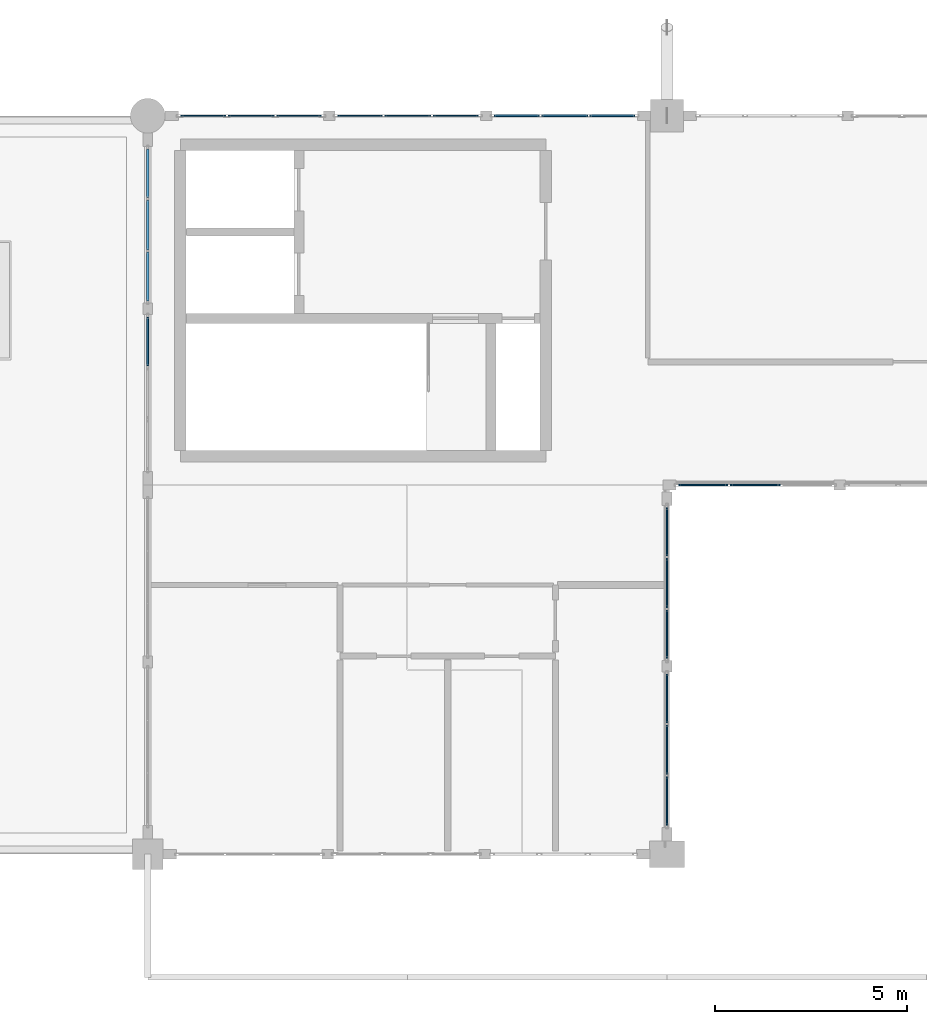
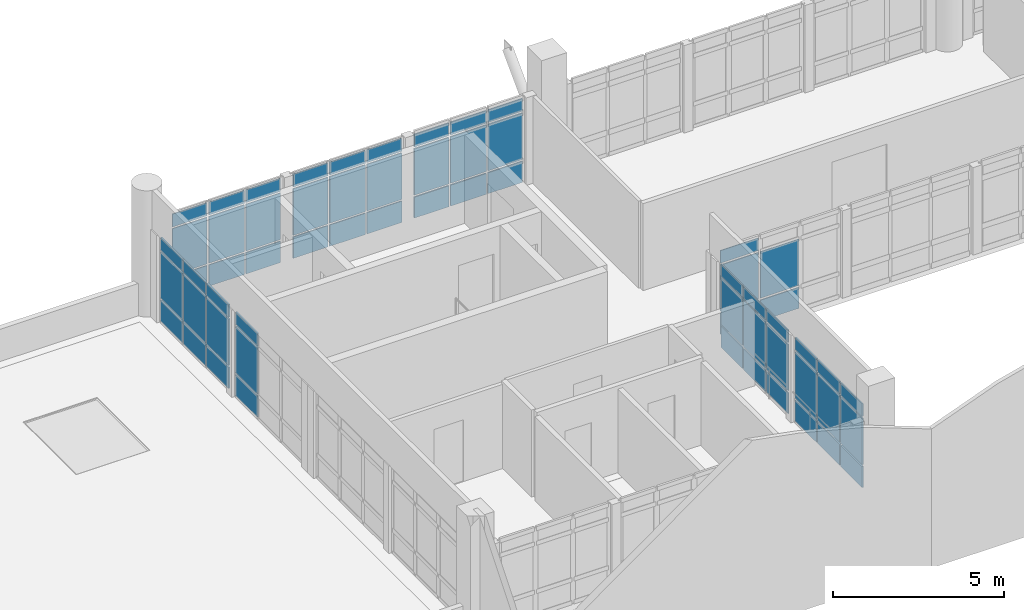
# One storey, part 24 of 37: 62 plates, 8 elements without a shape of their own.
"""IFC4 building model written with IfcOpenShell, lengths in metres."""

from ifc_helpers import new_model, si_unit, direction, frame, origin, origin_2d, place, context, subcontext, project, spatial, rectangle, extrude, material, layer, layer_set, type_object, element, aggregate, save


model = new_model("IFC4")

# Units and contexts
model_context = context("Model", 3, precision=1e-05, world=origin(), true_north=direction((0.0, 1.0)))
body_context = subcontext(model_context, "Body", "Model", "MODEL_VIEW")
ifc_project = project(units=[si_unit("LENGTHUNIT", "METRE"), si_unit("AREAUNIT", "SQUARE_METRE"), si_unit("VOLUMEUNIT", "CUBIC_METRE"), si_unit("PLANEANGLEUNIT", "RADIAN"), si_unit("MASSUNIT", "GRAM", prefix="KILO")], contexts=[model_context])

# Site, building, storey
site_placement = place(None, origin())
site = spatial("IfcSite", under=ifc_project, at=site_placement, CompositionType="ELEMENT")
building_placement = place(site_placement, origin())
building = spatial("IfcBuilding", under=site, at=building_placement, Name="Fikremerkos Civic Library", CompositionType="ELEMENT")
storey_placement = place(building_placement, frame((0.0, 0.0, 23.39990234375)))
storey = spatial("IfcBuildingStorey", under=building, at=storey_placement, Name="L05", CompositionType="ELEMENT", Elevation=23.39990234375)

# Curtain wall, plates
ifc_material_1 = material(Name="Anodized aluminium Frame", Category="aluminium")
ifc_layer_1 = layer(ifc_material_1, 0.159912109375, Name="Anodized aluminium Frame")
ifc_layer_set_1 = layer_set([ifc_layer_1], Name="Anodized aluminium Frame")
curtain_wall_type_1 = type_object("IfcCurtainWallType", Name="Unitised curtain wall CW-05 3800x4100", PredefinedType="USERDEFINED", material=ifc_layer_set_1)
curtain_wall_1_placement = place(storey_placement, origin())
curtain_wall_1 = element("IfcCurtainWall", 1, at=curtain_wall_1_placement, inside=storey, type_object=curtain_wall_type_1, Name="Unitised curtain wall CW-05 L05 #257", ObjectType="UNITISED CURTAIN WALL", PredefinedType="USERDEFINED")
ifc_material_2 = material(Name="Solar control double glazing", Category="glass")
ifc_layer_2 = layer(ifc_material_2, 0.028076171875, Name="Solar control double glazing")
ifc_layer_set_2 = layer_set([ifc_layer_2], Name="Solar control double glazing")
plate_type_1 = type_object("IfcPlateType", Name="Curtain glazing panel CWP-01 28", PredefinedType="CURTAIN_PANEL", material=ifc_layer_set_2)
plate_1_placement = place(storey_placement, frame((20.6435546875, 31.199951171875, 0.06005859375), z_axis=(0.0, 0.0, 1.0), x_axis=(1.0, 0.0, 0.0)))
plate_1 = element("IfcPlate", 2, at=plate_1_placement, type_object=plate_type_1, Name="CW-05 panel 1.1", PredefinedType="CURTAIN_PANEL", context=body_context, shape_type="SweptSolid", body=[
    extrude(rectangle(XDim=1.161376953125, YDim=0.028076171875, at=origin_2d()), origin(), (0.0, 0.0, 1.0), 0.760009765625),
])
plate_2_placement = place(storey_placement, frame((20.6435546875, 31.199951171875, 0.88037109375), z_axis=(0.0, 0.0, 1.0), x_axis=(1.0, 0.0, 0.0)))
plate_2 = element("IfcPlate", 3, at=plate_2_placement, type_object=plate_type_1, Name="CW-05 panel 1.2", PredefinedType="CURTAIN_PANEL", context=body_context, shape_type="SweptSolid", body=[
    extrude(rectangle(XDim=1.161376953125, YDim=0.028076171875, at=origin_2d()), origin(), (0.0, 0.0, 1.0), 1.659912109375),
])
plate_3_placement = place(storey_placement, frame((20.6435546875, 31.199951171875, 2.60009765625), z_axis=(0.0, 0.0, 1.0), x_axis=(1.0, 0.0, 0.0)))
plate_3 = element("IfcPlate", 4, at=plate_3_placement, type_object=plate_type_1, Name="CW-05 panel 1.3", PredefinedType="CURTAIN_PANEL", context=body_context, shape_type="SweptSolid", body=[
    extrude(rectangle(XDim=1.161376953125, YDim=0.028076171875, at=origin_2d()), origin(), (0.0, 0.0, 1.0), 0.4599609375),
])
plate_4_placement = place(storey_placement, frame((21.88623046875, 31.199951171875, 0.06005859375), z_axis=(0.0, 0.0, 1.0), x_axis=(1.0, 0.0, 0.0)))
plate_4 = element("IfcPlate", 5, at=plate_4_placement, type_object=plate_type_1, Name="CW-05 panel 2.1", PredefinedType="CURTAIN_PANEL", context=body_context, shape_type="SweptSolid", body=[
    extrude(rectangle(XDim=1.19384765625, YDim=0.028076171875, at=origin_2d()), origin(), (0.0, 0.0, 1.0), 0.760009765625),
])
plate_5_placement = place(storey_placement, frame((21.88623046875, 31.199951171875, 0.88037109375), z_axis=(0.0, 0.0, 1.0), x_axis=(1.0, 0.0, 0.0)))
plate_5 = element("IfcPlate", 6, at=plate_5_placement, type_object=plate_type_1, Name="CW-05 panel 2.2", PredefinedType="CURTAIN_PANEL", context=body_context, shape_type="SweptSolid", body=[
    extrude(rectangle(XDim=1.19384765625, YDim=0.028076171875, at=origin_2d()), origin(), (0.0, 0.0, 1.0), 1.659912109375),
])
plate_6_placement = place(storey_placement, frame((21.88623046875, 31.199951171875, 2.60009765625), z_axis=(0.0, 0.0, 1.0), x_axis=(1.0, 0.0, 0.0)))
plate_6 = element("IfcPlate", 7, at=plate_6_placement, type_object=plate_type_1, Name="CW-05 panel 2.3", PredefinedType="CURTAIN_PANEL", context=body_context, shape_type="SweptSolid", body=[
    extrude(rectangle(XDim=1.19384765625, YDim=0.028076171875, at=origin_2d()), origin(), (0.0, 0.0, 1.0), 0.4599609375),
])
plate_7_placement = place(storey_placement, frame((23.128662109375, 31.199951171875, 0.06005859375), z_axis=(0.0, 0.0, 1.0), x_axis=(1.0, 0.0, 0.0)))
plate_7 = element("IfcPlate", 8, at=plate_7_placement, type_object=plate_type_1, Name="CW-05 panel 3.1", PredefinedType="CURTAIN_PANEL", context=body_context, shape_type="SweptSolid", body=[
    extrude(rectangle(XDim=1.161376953125, YDim=0.028076171875, at=origin_2d()), origin(), (0.0, 0.0, 1.0), 0.760009765625),
])
plate_8_placement = place(storey_placement, frame((23.128662109375, 31.199951171875, 0.88037109375), z_axis=(0.0, 0.0, 1.0), x_axis=(1.0, 0.0, 0.0)))
plate_8 = element("IfcPlate", 9, at=plate_8_placement, type_object=plate_type_1, Name="CW-05 panel 3.2", PredefinedType="CURTAIN_PANEL", context=body_context, shape_type="SweptSolid", body=[
    extrude(rectangle(XDim=1.161376953125, YDim=0.028076171875, at=origin_2d()), origin(), (0.0, 0.0, 1.0), 1.659912109375),
])
plate_9_placement = place(storey_placement, frame((23.128662109375, 31.199951171875, 2.60009765625), z_axis=(0.0, 0.0, 1.0), x_axis=(1.0, 0.0, 0.0)))
plate_9 = element("IfcPlate", 10, at=plate_9_placement, type_object=plate_type_1, Name="CW-05 panel 3.3", PredefinedType="CURTAIN_PANEL", context=body_context, shape_type="SweptSolid", body=[
    extrude(rectangle(XDim=1.161376953125, YDim=0.028076171875, at=origin_2d()), origin(), (0.0, 0.0, 1.0), 0.4599609375),
])
aggregate(curtain_wall_1, [plate_1, plate_2, plate_3, plate_4, plate_5, plate_6, plate_7, plate_8, plate_9])

ifc_layer_3 = layer(ifc_material_1, 0.159912109375, Name="Anodized aluminium Frame")
ifc_layer_set_3 = layer_set([ifc_layer_3], Name="Anodized aluminium Frame")
curtain_wall_type_2 = type_object("IfcCurtainWallType", Name="Unitised curtain wall CW-09 3600x3400", PredefinedType="USERDEFINED", material=ifc_layer_set_3)
curtain_wall_2_placement = place(storey_placement, origin())
curtain_wall_2 = element("IfcCurtainWall", 11, at=curtain_wall_2_placement, inside=storey, type_object=curtain_wall_type_2, Name="Unitised curtain wall CW-09 L05 #297", ObjectType="UNITISED CURTAIN WALL", PredefinedType="USERDEFINED")
plate_10_placement = place(storey_placement, frame((34.991455078125, 21.60009765625, 0.070068359375), z_axis=(0.0, 0.0, 1.0), x_axis=(-1.0, 0.0, 0.0)))
plate_10 = element("IfcPlate", 12, at=plate_10_placement, type_object=plate_type_1, Name="CW-09 panel 2.1", PredefinedType="CURTAIN_PANEL", context=body_context, shape_type="SweptSolid", body=[
    extrude(rectangle(XDim=1.302490234375, YDim=0.028076171875, at=origin_2d()), origin(), (0.0, 0.0, 1.0), 0.7451171875),
])
plate_11_placement = place(storey_placement, frame((34.991455078125, 21.60009765625, 0.88525390625), z_axis=(0.0, 0.0, 1.0), x_axis=(-1.0, 0.0, 0.0)))
plate_11 = element("IfcPlate", 13, at=plate_11_placement, type_object=plate_type_1, Name="CW-09 panel 2.2", PredefinedType="CURTAIN_PANEL", context=body_context, shape_type="SweptSolid", body=[
    extrude(rectangle(XDim=1.302490234375, YDim=0.028076171875, at=origin_2d()), origin(), (0.0, 0.0, 1.0), 1.64990234375),
])
plate_12_placement = place(storey_placement, frame((33.64013671875, 21.60009765625, 0.070068359375), z_axis=(0.0, 0.0, 1.0), x_axis=(-1.0, 0.0, 0.0)))
plate_12 = element("IfcPlate", 14, at=plate_12_placement, type_object=plate_type_1, Name="CW-09 panel 3.1", PredefinedType="CURTAIN_PANEL", context=body_context, shape_type="SweptSolid", body=[
    extrude(rectangle(XDim=1.27001953125, YDim=0.028076171875, at=origin_2d()), origin(), (0.0, 0.0, 1.0), 0.7451171875),
])
plate_13_placement = place(storey_placement, frame((33.64013671875, 21.60009765625, 0.88525390625), z_axis=(0.0, 0.0, 1.0), x_axis=(-1.0, 0.0, 0.0)))
plate_13 = element("IfcPlate", 15, at=plate_13_placement, type_object=plate_type_1, Name="CW-09 panel 3.2", PredefinedType="CURTAIN_PANEL", context=body_context, shape_type="SweptSolid", body=[
    extrude(rectangle(XDim=1.27001953125, YDim=0.028076171875, at=origin_2d()), origin(), (0.0, 0.0, 1.0), 1.64990234375),
])
plate_14_placement = place(storey_placement, frame((33.64013671875, 21.60009765625, 2.60498046875), z_axis=(0.0, 0.0, 1.0), x_axis=(-1.0, 0.0, 0.0)))
plate_14 = element("IfcPlate", 16, at=plate_14_placement, type_object=plate_type_1, Name="CW-09 panel 3.3", PredefinedType="CURTAIN_PANEL", context=body_context, shape_type="SweptSolid", body=[
    extrude(rectangle(XDim=1.27001953125, YDim=0.028076171875, at=origin_2d()), origin(), (0.0, 0.0, 1.0), 0.445068359375),
])
aggregate(curtain_wall_2, [plate_10, plate_11, plate_12, plate_13, plate_14])

ifc_layer_4 = layer(ifc_material_1, 0.159912109375, Name="Anodized aluminium Frame")
ifc_layer_set_4 = layer_set([ifc_layer_4], Name="Anodized aluminium Frame")
curtain_wall_type_3 = type_object("IfcCurtainWallType", Name="Unitised curtain wall CW-06 4200x4100", PredefinedType="USERDEFINED", material=ifc_layer_set_4)
curtain_wall_3_placement = place(storey_placement, origin())
curtain_wall_3 = element("IfcCurtainWall", 17, at=curtain_wall_3_placement, inside=storey, type_object=curtain_wall_type_3, Name="Unitised curtain wall CW-06 L05 #258", ObjectType="UNITISED CURTAIN WALL", PredefinedType="USERDEFINED")
ifc_layer_5 = layer(ifc_material_2, 0.035888671875, Name="Solar control double glazing")
ifc_layer_set_5 = layer_set([ifc_layer_5], Name="Solar control double glazing")
plate_type_2 = type_object("IfcPlateType", Name="Curtain glazing panel CWP-02 36", PredefinedType="CURTAIN_PANEL", material=ifc_layer_set_5)
plate_15_placement = place(storey_placement, frame((24.71875, 31.199951171875, 0.06005859375), z_axis=(0.0, 0.0, 1.0), x_axis=(1.0, 0.0, 0.0)))
plate_15 = element("IfcPlate", 18, at=plate_15_placement, type_object=plate_type_2, Name="CW-06 panel 1.1", PredefinedType="CURTAIN_PANEL", context=body_context, shape_type="SweptSolid", body=[
    extrude(rectangle(XDim=1.168701171875, YDim=0.035888671875, at=origin_2d()), origin(), (0.0, 0.0, 1.0), 0.760009765625),
])
plate_16_placement = place(storey_placement, frame((24.71875, 31.199951171875, 0.88037109375), z_axis=(0.0, 0.0, 1.0), x_axis=(1.0, 0.0, 0.0)))
plate_16 = element("IfcPlate", 19, at=plate_16_placement, type_object=plate_type_2, Name="CW-06 panel 1.2", PredefinedType="CURTAIN_PANEL", context=body_context, shape_type="SweptSolid", body=[
    extrude(rectangle(XDim=1.168701171875, YDim=0.035888671875, at=origin_2d()), origin(), (0.0, 0.0, 1.0), 1.659912109375),
])
plate_17_placement = place(storey_placement, frame((24.71875, 31.199951171875, 2.60009765625), z_axis=(0.0, 0.0, 1.0), x_axis=(1.0, 0.0, 0.0)))
plate_17 = element("IfcPlate", 20, at=plate_17_placement, type_object=plate_type_2, Name="CW-06 panel 1.3", PredefinedType="CURTAIN_PANEL", context=body_context, shape_type="SweptSolid", body=[
    extrude(rectangle(XDim=1.168701171875, YDim=0.035888671875, at=origin_2d()), origin(), (0.0, 0.0, 1.0), 0.4599609375),
])
plate_18_placement = place(storey_placement, frame((25.96240234375, 31.199951171875, 0.06005859375), z_axis=(0.0, 0.0, 1.0), x_axis=(1.0, 0.0, 0.0)))
plate_18 = element("IfcPlate", 21, at=plate_18_placement, type_object=plate_type_2, Name="CW-06 panel 2.1", PredefinedType="CURTAIN_PANEL", context=body_context, shape_type="SweptSolid", body=[
    extrude(rectangle(XDim=1.19873046875, YDim=0.035888671875, at=origin_2d()), origin(), (0.0, 0.0, 1.0), 0.760009765625),
])
plate_19_placement = place(storey_placement, frame((25.96240234375, 31.199951171875, 0.88037109375), z_axis=(0.0, 0.0, 1.0), x_axis=(1.0, 0.0, 0.0)))
plate_19 = element("IfcPlate", 22, at=plate_19_placement, type_object=plate_type_2, Name="CW-06 panel 2.2", PredefinedType="CURTAIN_PANEL", context=body_context, shape_type="SweptSolid", body=[
    extrude(rectangle(XDim=1.19873046875, YDim=0.035888671875, at=origin_2d()), origin(), (0.0, 0.0, 1.0), 1.659912109375),
])
plate_20_placement = place(storey_placement, frame((25.96240234375, 31.199951171875, 2.60009765625), z_axis=(0.0, 0.0, 1.0), x_axis=(1.0, 0.0, 0.0)))
plate_20 = element("IfcPlate", 23, at=plate_20_placement, type_object=plate_type_2, Name="CW-06 panel 2.3", PredefinedType="CURTAIN_PANEL", context=body_context, shape_type="SweptSolid", body=[
    extrude(rectangle(XDim=1.19873046875, YDim=0.035888671875, at=origin_2d()), origin(), (0.0, 0.0, 1.0), 0.4599609375),
])
plate_21_placement = place(storey_placement, frame((27.206298828125, 31.199951171875, 0.06005859375), z_axis=(0.0, 0.0, 1.0), x_axis=(1.0, 0.0, 0.0)))
plate_21 = element("IfcPlate", 24, at=plate_21_placement, type_object=plate_type_2, Name="CW-06 panel 3.1", PredefinedType="CURTAIN_PANEL", context=body_context, shape_type="SweptSolid", body=[
    extrude(rectangle(XDim=1.168701171875, YDim=0.035888671875, at=origin_2d()), origin(), (0.0, 0.0, 1.0), 0.760009765625),
])
plate_22_placement = place(storey_placement, frame((27.206298828125, 31.199951171875, 0.88037109375), z_axis=(0.0, 0.0, 1.0), x_axis=(1.0, 0.0, 0.0)))
plate_22 = element("IfcPlate", 25, at=plate_22_placement, type_object=plate_type_2, Name="CW-06 panel 3.2", PredefinedType="CURTAIN_PANEL", context=body_context, shape_type="SweptSolid", body=[
    extrude(rectangle(XDim=1.168701171875, YDim=0.035888671875, at=origin_2d()), origin(), (0.0, 0.0, 1.0), 1.659912109375),
])
plate_23_placement = place(storey_placement, frame((27.206298828125, 31.199951171875, 2.60009765625), z_axis=(0.0, 0.0, 1.0), x_axis=(1.0, 0.0, 0.0)))
plate_23 = element("IfcPlate", 26, at=plate_23_placement, type_object=plate_type_2, Name="CW-06 panel 3.3", PredefinedType="CURTAIN_PANEL", context=body_context, shape_type="SweptSolid", body=[
    extrude(rectangle(XDim=1.168701171875, YDim=0.035888671875, at=origin_2d()), origin(), (0.0, 0.0, 1.0), 0.4599609375),
])
aggregate(curtain_wall_3, [plate_15, plate_16, plate_17, plate_18, plate_19, plate_20, plate_21, plate_22, plate_23])

ifc_layer_6 = layer(ifc_material_1, 0.159912109375, Name="Anodized aluminium Frame")
ifc_layer_set_6 = layer_set([ifc_layer_6], Name="Anodized aluminium Frame")
curtain_wall_type_4 = type_object("IfcCurtainWallType", Name="Unitised curtain wall CW-10 4000x3400", PredefinedType="USERDEFINED", material=ifc_layer_set_6)
curtain_wall_4_placement = place(storey_placement, origin())
curtain_wall_4 = element("IfcCurtainWall", 27, at=curtain_wall_4_placement, inside=storey, type_object=curtain_wall_type_4, Name="Unitised curtain wall CW-10 L05 #298", ObjectType="UNITISED CURTAIN WALL", PredefinedType="USERDEFINED")
plate_24_placement = place(storey_placement, frame((32.699951171875, 20.38232421875, 0.070068359375), z_axis=(0.0, 0.0, 1.0), x_axis=(0.0, -1.0, 0.0)))
plate_24 = element("IfcPlate", 28, at=plate_24_placement, type_object=plate_type_2, Name="CW-10 panel 1.1", PredefinedType="CURTAIN_PANEL", context=body_context, shape_type="SweptSolid", body=[
    extrude(rectangle(XDim=1.25537109375, YDim=0.035888671875, at=origin_2d()), origin(), (0.0, 0.0, 1.0), 0.7451171875),
])
plate_25_placement = place(storey_placement, frame((32.699951171875, 20.38232421875, 0.88525390625), z_axis=(0.0, 0.0, 1.0), x_axis=(0.0, -1.0, 0.0)))
plate_25 = element("IfcPlate", 29, at=plate_25_placement, type_object=plate_type_2, Name="CW-10 panel 1.2", PredefinedType="CURTAIN_PANEL", context=body_context, shape_type="SweptSolid", body=[
    extrude(rectangle(XDim=1.25537109375, YDim=0.035888671875, at=origin_2d()), origin(), (0.0, 0.0, 1.0), 1.64990234375),
])
plate_26_placement = place(storey_placement, frame((32.699951171875, 20.38232421875, 2.60498046875), z_axis=(0.0, 0.0, 1.0), x_axis=(0.0, -1.0, 0.0)))
plate_26 = element("IfcPlate", 30, at=plate_26_placement, type_object=plate_type_2, Name="CW-10 panel 1.3", PredefinedType="CURTAIN_PANEL", context=body_context, shape_type="SweptSolid", body=[
    extrude(rectangle(XDim=1.25537109375, YDim=0.035888671875, at=origin_2d()), origin(), (0.0, 0.0, 1.0), 0.445068359375),
])
plate_27_placement = place(storey_placement, frame((32.699951171875, 19.052001953125, 0.070068359375), z_axis=(0.0, 0.0, 1.0), x_axis=(0.0, -1.0, 0.0)))
plate_27 = element("IfcPlate", 31, at=plate_27_placement, type_object=plate_type_2, Name="CW-10 panel 2.1", PredefinedType="CURTAIN_PANEL", context=body_context, shape_type="SweptSolid", body=[
    extrude(rectangle(XDim=1.285400390625, YDim=0.035888671875, at=origin_2d()), origin(), (0.0, 0.0, 1.0), 0.7451171875),
])
plate_28_placement = place(storey_placement, frame((32.699951171875, 19.052001953125, 0.88525390625), z_axis=(0.0, 0.0, 1.0), x_axis=(0.0, -1.0, 0.0)))
plate_28 = element("IfcPlate", 32, at=plate_28_placement, type_object=plate_type_2, Name="CW-10 panel 2.2", PredefinedType="CURTAIN_PANEL", context=body_context, shape_type="SweptSolid", body=[
    extrude(rectangle(XDim=1.285400390625, YDim=0.035888671875, at=origin_2d()), origin(), (0.0, 0.0, 1.0), 1.64990234375),
])
plate_29_placement = place(storey_placement, frame((32.699951171875, 19.052001953125, 2.60498046875), z_axis=(0.0, 0.0, 1.0), x_axis=(0.0, -1.0, 0.0)))
plate_29 = element("IfcPlate", 33, at=plate_29_placement, type_object=plate_type_2, Name="CW-10 panel 2.3", PredefinedType="CURTAIN_PANEL", context=body_context, shape_type="SweptSolid", body=[
    extrude(rectangle(XDim=1.285400390625, YDim=0.035888671875, at=origin_2d()), origin(), (0.0, 0.0, 1.0), 0.445068359375),
])
plate_30_placement = place(storey_placement, frame((32.699951171875, 17.7216796875, 0.070068359375), z_axis=(0.0, 0.0, 1.0), x_axis=(0.0, -1.0, 0.0)))
plate_30 = element("IfcPlate", 34, at=plate_30_placement, type_object=plate_type_2, Name="CW-10 panel 3.1", PredefinedType="CURTAIN_PANEL", context=body_context, shape_type="SweptSolid", body=[
    extrude(rectangle(XDim=1.25537109375, YDim=0.035888671875, at=origin_2d()), origin(), (0.0, 0.0, 1.0), 0.7451171875),
])
plate_31_placement = place(storey_placement, frame((32.699951171875, 17.7216796875, 0.88525390625), z_axis=(0.0, 0.0, 1.0), x_axis=(0.0, -1.0, 0.0)))
plate_31 = element("IfcPlate", 35, at=plate_31_placement, type_object=plate_type_2, Name="CW-10 panel 3.2", PredefinedType="CURTAIN_PANEL", context=body_context, shape_type="SweptSolid", body=[
    extrude(rectangle(XDim=1.25537109375, YDim=0.035888671875, at=origin_2d()), origin(), (0.0, 0.0, 1.0), 1.64990234375),
])
plate_32_placement = place(storey_placement, frame((32.699951171875, 17.7216796875, 2.60498046875), z_axis=(0.0, 0.0, 1.0), x_axis=(0.0, -1.0, 0.0)))
plate_32 = element("IfcPlate", 36, at=plate_32_placement, type_object=plate_type_2, Name="CW-10 panel 3.3", PredefinedType="CURTAIN_PANEL", context=body_context, shape_type="SweptSolid", body=[
    extrude(rectangle(XDim=1.25537109375, YDim=0.035888671875, at=origin_2d()), origin(), (0.0, 0.0, 1.0), 0.445068359375),
])
aggregate(curtain_wall_4, [plate_24, plate_25, plate_26, plate_27, plate_28, plate_29, plate_30, plate_31, plate_32])

ifc_layer_7 = layer(ifc_material_1, 0.159912109375, Name="Anodized aluminium Frame")
ifc_layer_set_7 = layer_set([ifc_layer_7], Name="Anodized aluminium Frame")
curtain_wall_type_5 = type_object("IfcCurtainWallType", Name="Unitised curtain wall CW-03 4100x3600", PredefinedType="USERDEFINED", material=ifc_layer_set_7)
curtain_wall_5_placement = place(storey_placement, origin())
curtain_wall_5 = element("IfcCurtainWall", 37, at=curtain_wall_5_placement, inside=storey, type_object=curtain_wall_type_5, Name="Unitised curtain wall CW-03 L05 #255", ObjectType="UNITISED CURTAIN WALL", PredefinedType="USERDEFINED")
ifc_material_3 = material(Name="Insulated aluminium spandrel", Category="aluminium")
ifc_layer_8 = layer(ifc_material_3, 0.044921875, Name="Insulated aluminium spandrel")
ifc_layer_set_8 = layer_set([ifc_layer_8], Name="Insulated aluminium spandrel")
plate_type_3 = type_object("IfcPlateType", Name="Curtain spandrel panel CSP-01 45", PredefinedType="CURTAIN_PANEL", material=ifc_layer_set_8)
plate_33_placement = place(storey_placement, frame((19.199951171875, 25.332763671875, 0.065185546875), z_axis=(0.0, 0.0, 1.0), x_axis=(0.0, 1.0, 0.0)))
plate_33 = element("IfcPlate", 38, at=plate_33_placement, type_object=plate_type_3, Name="CW-03 panel 3.1", PredefinedType="CURTAIN_PANEL", context=body_context, shape_type="SweptSolid", body=[
    extrude(rectangle(XDim=1.268310546875, YDim=0.044921875, at=origin_2d()), origin(), (0.0, 0.0, 1.0), 0.75244140625),
])
plate_34_placement = place(storey_placement, frame((19.199951171875, 25.332763671875, 0.8828125), z_axis=(0.0, 0.0, 1.0), x_axis=(0.0, 1.0, 0.0)))
plate_34 = element("IfcPlate", 39, at=plate_34_placement, type_object=plate_type_3, Name="CW-03 panel 3.2", PredefinedType="CURTAIN_PANEL", context=body_context, shape_type="SweptSolid", body=[
    extrude(rectangle(XDim=1.268310546875, YDim=0.044921875, at=origin_2d()), origin(), (0.0, 0.0, 1.0), 1.655029296875),
])
plate_35_placement = place(storey_placement, frame((19.199951171875, 25.332763671875, 2.6025390625), z_axis=(0.0, 0.0, 1.0), x_axis=(0.0, 1.0, 0.0)))
plate_35 = element("IfcPlate", 40, at=plate_35_placement, type_object=plate_type_3, Name="CW-03 panel 3.3", PredefinedType="CURTAIN_PANEL", context=body_context, shape_type="SweptSolid", body=[
    extrude(rectangle(XDim=1.268310546875, YDim=0.044921875, at=origin_2d()), origin(), (0.0, 0.0, 1.0), 0.452392578125),
])
aggregate(curtain_wall_5, [plate_33, plate_34, plate_35])

ifc_layer_9 = layer(ifc_material_1, 0.159912109375, Name="Anodized aluminium Frame")
ifc_layer_set_9 = layer_set([ifc_layer_9], Name="Anodized aluminium Frame")
curtain_wall_type_6 = type_object("IfcCurtainWallType", Name="Unitised curtain wall CW-07 3500x4100", PredefinedType="USERDEFINED", material=ifc_layer_set_9)
curtain_wall_6_placement = place(storey_placement, origin())
curtain_wall_6 = element("IfcCurtainWall", 41, at=curtain_wall_6_placement, inside=storey, type_object=curtain_wall_type_6, Name="Unitised curtain wall CW-07 L05 #259", ObjectType="UNITISED CURTAIN WALL", PredefinedType="USERDEFINED")
plate_36_placement = place(storey_placement, frame((28.795166015625, 31.199951171875, 0.070068359375), z_axis=(0.0, 0.0, 1.0), x_axis=(1.0, 0.0, 0.0)))
plate_36 = element("IfcPlate", 42, at=plate_36_placement, type_object=plate_type_3, Name="CW-07 panel 1.1", PredefinedType="CURTAIN_PANEL", context=body_context, shape_type="SweptSolid", body=[
    extrude(rectangle(XDim=1.168701171875, YDim=0.044921875, at=origin_2d()), origin(), (0.0, 0.0, 1.0), 0.7451171875),
])
plate_37_placement = place(storey_placement, frame((28.795166015625, 31.199951171875, 0.88525390625), z_axis=(0.0, 0.0, 1.0), x_axis=(1.0, 0.0, 0.0)))
plate_37 = element("IfcPlate", 43, at=plate_37_placement, type_object=plate_type_3, Name="CW-07 panel 1.2", PredefinedType="CURTAIN_PANEL", context=body_context, shape_type="SweptSolid", body=[
    extrude(rectangle(XDim=1.168701171875, YDim=0.044921875, at=origin_2d()), origin(), (0.0, 0.0, 1.0), 1.64990234375),
])
plate_38_placement = place(storey_placement, frame((28.795166015625, 31.199951171875, 2.60498046875), z_axis=(0.0, 0.0, 1.0), x_axis=(1.0, 0.0, 0.0)))
plate_38 = element("IfcPlate", 44, at=plate_38_placement, type_object=plate_type_3, Name="CW-07 panel 1.3", PredefinedType="CURTAIN_PANEL", context=body_context, shape_type="SweptSolid", body=[
    extrude(rectangle(XDim=1.168701171875, YDim=0.044921875, at=origin_2d()), origin(), (0.0, 0.0, 1.0), 0.445068359375),
])
plate_39_placement = place(storey_placement, frame((30.038818359375, 31.199951171875, 0.070068359375), z_axis=(0.0, 0.0, 1.0), x_axis=(1.0, 0.0, 0.0)))
plate_39 = element("IfcPlate", 45, at=plate_39_placement, type_object=plate_type_3, Name="CW-07 panel 2.1", PredefinedType="CURTAIN_PANEL", context=body_context, shape_type="SweptSolid", body=[
    extrude(rectangle(XDim=1.19873046875, YDim=0.044921875, at=origin_2d()), origin(), (0.0, 0.0, 1.0), 0.7451171875),
])
plate_40_placement = place(storey_placement, frame((30.038818359375, 31.199951171875, 0.88525390625), z_axis=(0.0, 0.0, 1.0), x_axis=(1.0, 0.0, 0.0)))
plate_40 = element("IfcPlate", 46, at=plate_40_placement, type_object=plate_type_3, Name="CW-07 panel 2.2", PredefinedType="CURTAIN_PANEL", context=body_context, shape_type="SweptSolid", body=[
    extrude(rectangle(XDim=1.19873046875, YDim=0.044921875, at=origin_2d()), origin(), (0.0, 0.0, 1.0), 1.64990234375),
])
plate_41_placement = place(storey_placement, frame((30.038818359375, 31.199951171875, 2.60498046875), z_axis=(0.0, 0.0, 1.0), x_axis=(1.0, 0.0, 0.0)))
plate_41 = element("IfcPlate", 47, at=plate_41_placement, type_object=plate_type_3, Name="CW-07 panel 2.3", PredefinedType="CURTAIN_PANEL", context=body_context, shape_type="SweptSolid", body=[
    extrude(rectangle(XDim=1.19873046875, YDim=0.044921875, at=origin_2d()), origin(), (0.0, 0.0, 1.0), 0.445068359375),
])
plate_42_placement = place(storey_placement, frame((31.28271484375, 31.199951171875, 0.070068359375), z_axis=(0.0, 0.0, 1.0), x_axis=(1.0, 0.0, 0.0)))
plate_42 = element("IfcPlate", 48, at=plate_42_placement, type_object=plate_type_3, Name="CW-07 panel 3.1", PredefinedType="CURTAIN_PANEL", context=body_context, shape_type="SweptSolid", body=[
    extrude(rectangle(XDim=1.168701171875, YDim=0.044921875, at=origin_2d()), origin(), (0.0, 0.0, 1.0), 0.7451171875),
])
plate_43_placement = place(storey_placement, frame((31.28271484375, 31.199951171875, 0.88525390625), z_axis=(0.0, 0.0, 1.0), x_axis=(1.0, 0.0, 0.0)))
plate_43 = element("IfcPlate", 49, at=plate_43_placement, type_object=plate_type_3, Name="CW-07 panel 3.2", PredefinedType="CURTAIN_PANEL", context=body_context, shape_type="SweptSolid", body=[
    extrude(rectangle(XDim=1.168701171875, YDim=0.044921875, at=origin_2d()), origin(), (0.0, 0.0, 1.0), 1.64990234375),
])
plate_44_placement = place(storey_placement, frame((31.28271484375, 31.199951171875, 2.60498046875), z_axis=(0.0, 0.0, 1.0), x_axis=(1.0, 0.0, 0.0)))
plate_44 = element("IfcPlate", 50, at=plate_44_placement, type_object=plate_type_3, Name="CW-07 panel 3.3", PredefinedType="CURTAIN_PANEL", context=body_context, shape_type="SweptSolid", body=[
    extrude(rectangle(XDim=1.168701171875, YDim=0.044921875, at=origin_2d()), origin(), (0.0, 0.0, 1.0), 0.445068359375),
])
aggregate(curtain_wall_6, [plate_36, plate_37, plate_38, plate_39, plate_40, plate_41, plate_42, plate_43, plate_44])

ifc_layer_10 = layer(ifc_material_1, 0.159912109375, Name="Anodized aluminium Frame")
ifc_layer_set_10 = layer_set([ifc_layer_10], Name="Anodized aluminium Frame")
curtain_wall_type_7 = type_object("IfcCurtainWallType", Name="Unitised curtain wall CW-11 3200x3400", PredefinedType="USERDEFINED", material=ifc_layer_set_10)
curtain_wall_7_placement = place(storey_placement, origin())
curtain_wall_7 = element("IfcCurtainWall", 51, at=curtain_wall_7_placement, inside=storey, type_object=curtain_wall_type_7, Name="Unitised curtain wall CW-11 L05 #299", ObjectType="UNITISED CURTAIN WALL", PredefinedType="USERDEFINED")
plate_45_placement = place(storey_placement, frame((32.699951171875, 16.04638671875, 0.065185546875), z_axis=(0.0, 0.0, 1.0), x_axis=(0.0, -1.0, 0.0)))
plate_45 = element("IfcPlate", 52, at=plate_45_placement, type_object=plate_type_3, Name="CW-11 panel 1.1", PredefinedType="CURTAIN_PANEL", context=body_context, shape_type="SweptSolid", body=[
    extrude(rectangle(XDim=1.25537109375, YDim=0.044921875, at=origin_2d()), origin(), (0.0, 0.0, 1.0), 0.75244140625),
])
plate_46_placement = place(storey_placement, frame((32.699951171875, 16.04638671875, 0.8828125), z_axis=(0.0, 0.0, 1.0), x_axis=(0.0, -1.0, 0.0)))
plate_46 = element("IfcPlate", 53, at=plate_46_placement, type_object=plate_type_3, Name="CW-11 panel 1.2", PredefinedType="CURTAIN_PANEL", context=body_context, shape_type="SweptSolid", body=[
    extrude(rectangle(XDim=1.25537109375, YDim=0.044921875, at=origin_2d()), origin(), (0.0, 0.0, 1.0), 1.655029296875),
])
plate_47_placement = place(storey_placement, frame((32.699951171875, 16.04638671875, 2.6025390625), z_axis=(0.0, 0.0, 1.0), x_axis=(0.0, -1.0, 0.0)))
plate_47 = element("IfcPlate", 54, at=plate_47_placement, type_object=plate_type_3, Name="CW-11 panel 1.3", PredefinedType="CURTAIN_PANEL", context=body_context, shape_type="SweptSolid", body=[
    extrude(rectangle(XDim=1.25537109375, YDim=0.044921875, at=origin_2d()), origin(), (0.0, 0.0, 1.0), 0.452392578125),
])
plate_48_placement = place(storey_placement, frame((32.699951171875, 14.716064453125, 0.065185546875), z_axis=(0.0, 0.0, 1.0), x_axis=(0.0, -1.0, 0.0)))
plate_48 = element("IfcPlate", 55, at=plate_48_placement, type_object=plate_type_3, Name="CW-11 panel 2.1", PredefinedType="CURTAIN_PANEL", context=body_context, shape_type="SweptSolid", body=[
    extrude(rectangle(XDim=1.285400390625, YDim=0.044921875, at=origin_2d()), origin(), (0.0, 0.0, 1.0), 0.75244140625),
])
plate_49_placement = place(storey_placement, frame((32.699951171875, 14.716064453125, 0.8828125), z_axis=(0.0, 0.0, 1.0), x_axis=(0.0, -1.0, 0.0)))
plate_49 = element("IfcPlate", 56, at=plate_49_placement, type_object=plate_type_3, Name="CW-11 panel 2.2", PredefinedType="CURTAIN_PANEL", context=body_context, shape_type="SweptSolid", body=[
    extrude(rectangle(XDim=1.285400390625, YDim=0.044921875, at=origin_2d()), origin(), (0.0, 0.0, 1.0), 1.655029296875),
])
plate_50_placement = place(storey_placement, frame((32.699951171875, 14.716064453125, 2.6025390625), z_axis=(0.0, 0.0, 1.0), x_axis=(0.0, -1.0, 0.0)))
plate_50 = element("IfcPlate", 57, at=plate_50_placement, type_object=plate_type_3, Name="CW-11 panel 2.3", PredefinedType="CURTAIN_PANEL", context=body_context, shape_type="SweptSolid", body=[
    extrude(rectangle(XDim=1.285400390625, YDim=0.044921875, at=origin_2d()), origin(), (0.0, 0.0, 1.0), 0.452392578125),
])
plate_51_placement = place(storey_placement, frame((32.699951171875, 13.3857421875, 0.065185546875), z_axis=(0.0, 0.0, 1.0), x_axis=(0.0, -1.0, 0.0)))
plate_51 = element("IfcPlate", 58, at=plate_51_placement, type_object=plate_type_3, Name="CW-11 panel 3.1", PredefinedType="CURTAIN_PANEL", context=body_context, shape_type="SweptSolid", body=[
    extrude(rectangle(XDim=1.25537109375, YDim=0.044921875, at=origin_2d()), origin(), (0.0, 0.0, 1.0), 0.75244140625),
])
plate_52_placement = place(storey_placement, frame((32.699951171875, 13.3857421875, 0.8828125), z_axis=(0.0, 0.0, 1.0), x_axis=(0.0, -1.0, 0.0)))
plate_52 = element("IfcPlate", 59, at=plate_52_placement, type_object=plate_type_3, Name="CW-11 panel 3.2", PredefinedType="CURTAIN_PANEL", context=body_context, shape_type="SweptSolid", body=[
    extrude(rectangle(XDim=1.25537109375, YDim=0.044921875, at=origin_2d()), origin(), (0.0, 0.0, 1.0), 1.655029296875),
])
plate_53_placement = place(storey_placement, frame((32.699951171875, 13.3857421875, 2.6025390625), z_axis=(0.0, 0.0, 1.0), x_axis=(0.0, -1.0, 0.0)))
plate_53 = element("IfcPlate", 60, at=plate_53_placement, type_object=plate_type_3, Name="CW-11 panel 3.3", PredefinedType="CURTAIN_PANEL", context=body_context, shape_type="SweptSolid", body=[
    extrude(rectangle(XDim=1.25537109375, YDim=0.044921875, at=origin_2d()), origin(), (0.0, 0.0, 1.0), 0.452392578125),
])
aggregate(curtain_wall_7, [plate_45, plate_46, plate_47, plate_48, plate_49, plate_50, plate_51, plate_52, plate_53])

ifc_layer_11 = layer(ifc_material_1, 0.159912109375, Name="Anodized aluminium Frame")
ifc_layer_set_11 = layer_set([ifc_layer_11], Name="Anodized aluminium Frame")
curtain_wall_type_8 = type_object("IfcCurtainWallType", Name="Unitised curtain wall CW-04 3400x3600", PredefinedType="USERDEFINED", material=ifc_layer_set_11)
curtain_wall_8_placement = place(storey_placement, origin())
curtain_wall_8 = element("IfcCurtainWall", 61, at=curtain_wall_8_placement, inside=storey, type_object=curtain_wall_type_8, Name="Unitised curtain wall CW-04 L05 #256", ObjectType="UNITISED CURTAIN WALL", PredefinedType="USERDEFINED")
ifc_layer_12 = layer(ifc_material_3, 0.054931640625, Name="Insulated aluminium spandrel")
ifc_layer_set_12 = layer_set([ifc_layer_12], Name="Insulated aluminium spandrel")
plate_type_4 = type_object("IfcPlateType", Name="Curtain spandrel panel CSP-02 55", PredefinedType="CURTAIN_PANEL", material=ifc_layer_set_12)
plate_54_placement = place(storey_placement, frame((19.199951171875, 27.021240234375, 0.065185546875), z_axis=(0.0, 0.0, 1.0), x_axis=(0.0, 1.0, 0.0)))
plate_54 = element("IfcPlate", 62, at=plate_54_placement, type_object=plate_type_4, Name="CW-04 panel 1.1", PredefinedType="CURTAIN_PANEL", context=body_context, shape_type="SweptSolid", body=[
    extrude(rectangle(XDim=1.268310546875, YDim=0.054931640625, at=origin_2d()), origin(), (0.0, 0.0, 1.0), 0.75244140625),
])
plate_55_placement = place(storey_placement, frame((19.199951171875, 27.021240234375, 0.8828125), z_axis=(0.0, 0.0, 1.0), x_axis=(0.0, 1.0, 0.0)))
plate_55 = element("IfcPlate", 63, at=plate_55_placement, type_object=plate_type_4, Name="CW-04 panel 1.2", PredefinedType="CURTAIN_PANEL", context=body_context, shape_type="SweptSolid", body=[
    extrude(rectangle(XDim=1.268310546875, YDim=0.054931640625, at=origin_2d()), origin(), (0.0, 0.0, 1.0), 1.655029296875),
])
plate_56_placement = place(storey_placement, frame((19.199951171875, 27.021240234375, 2.6025390625), z_axis=(0.0, 0.0, 1.0), x_axis=(0.0, 1.0, 0.0)))
plate_56 = element("IfcPlate", 64, at=plate_56_placement, type_object=plate_type_4, Name="CW-04 panel 1.3", PredefinedType="CURTAIN_PANEL", context=body_context, shape_type="SweptSolid", body=[
    extrude(rectangle(XDim=1.268310546875, YDim=0.054931640625, at=origin_2d()), origin(), (0.0, 0.0, 1.0), 0.452392578125),
])
plate_57_placement = place(storey_placement, frame((19.199951171875, 28.364501953125, 0.065185546875), z_axis=(0.0, 0.0, 1.0), x_axis=(0.0, 1.0, 0.0)))
plate_57 = element("IfcPlate", 65, at=plate_57_placement, type_object=plate_type_4, Name="CW-04 panel 2.1", PredefinedType="CURTAIN_PANEL", context=body_context, shape_type="SweptSolid", body=[
    extrude(rectangle(XDim=1.29833984375, YDim=0.054931640625, at=origin_2d()), origin(), (0.0, 0.0, 1.0), 0.75244140625),
])
plate_58_placement = place(storey_placement, frame((19.199951171875, 28.364501953125, 0.8828125), z_axis=(0.0, 0.0, 1.0), x_axis=(0.0, 1.0, 0.0)))
plate_58 = element("IfcPlate", 66, at=plate_58_placement, type_object=plate_type_4, Name="CW-04 panel 2.2", PredefinedType="CURTAIN_PANEL", context=body_context, shape_type="SweptSolid", body=[
    extrude(rectangle(XDim=1.29833984375, YDim=0.054931640625, at=origin_2d()), origin(), (0.0, 0.0, 1.0), 1.655029296875),
])
plate_59_placement = place(storey_placement, frame((19.199951171875, 28.364501953125, 2.6025390625), z_axis=(0.0, 0.0, 1.0), x_axis=(0.0, 1.0, 0.0)))
plate_59 = element("IfcPlate", 67, at=plate_59_placement, type_object=plate_type_4, Name="CW-04 panel 2.3", PredefinedType="CURTAIN_PANEL", context=body_context, shape_type="SweptSolid", body=[
    extrude(rectangle(XDim=1.29833984375, YDim=0.054931640625, at=origin_2d()), origin(), (0.0, 0.0, 1.0), 0.452392578125),
])
plate_60_placement = place(storey_placement, frame((19.199951171875, 29.707763671875, 0.065185546875), z_axis=(0.0, 0.0, 1.0), x_axis=(0.0, 1.0, 0.0)))
plate_60 = element("IfcPlate", 68, at=plate_60_placement, type_object=plate_type_4, Name="CW-04 panel 3.1", PredefinedType="CURTAIN_PANEL", context=body_context, shape_type="SweptSolid", body=[
    extrude(rectangle(XDim=1.268310546875, YDim=0.054931640625, at=origin_2d()), origin(), (0.0, 0.0, 1.0), 0.75244140625),
])
plate_61_placement = place(storey_placement, frame((19.199951171875, 29.707763671875, 0.8828125), z_axis=(0.0, 0.0, 1.0), x_axis=(0.0, 1.0, 0.0)))
plate_61 = element("IfcPlate", 69, at=plate_61_placement, type_object=plate_type_4, Name="CW-04 panel 3.2", PredefinedType="CURTAIN_PANEL", context=body_context, shape_type="SweptSolid", body=[
    extrude(rectangle(XDim=1.268310546875, YDim=0.054931640625, at=origin_2d()), origin(), (0.0, 0.0, 1.0), 1.655029296875),
])
plate_62_placement = place(storey_placement, frame((19.199951171875, 29.707763671875, 2.6025390625), z_axis=(0.0, 0.0, 1.0), x_axis=(0.0, 1.0, 0.0)))
plate_62 = element("IfcPlate", 70, at=plate_62_placement, type_object=plate_type_4, Name="CW-04 panel 3.3", PredefinedType="CURTAIN_PANEL", context=body_context, shape_type="SweptSolid", body=[
    extrude(rectangle(XDim=1.268310546875, YDim=0.054931640625, at=origin_2d()), origin(), (0.0, 0.0, 1.0), 0.452392578125),
])
aggregate(curtain_wall_8, [plate_54, plate_55, plate_56, plate_57, plate_58, plate_59, plate_60, plate_61, plate_62])

save(model, "model.ifc")
